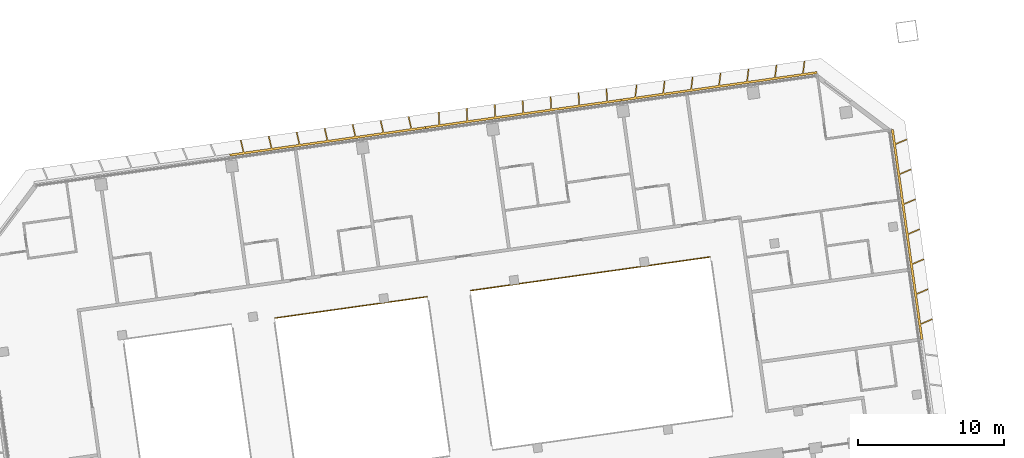
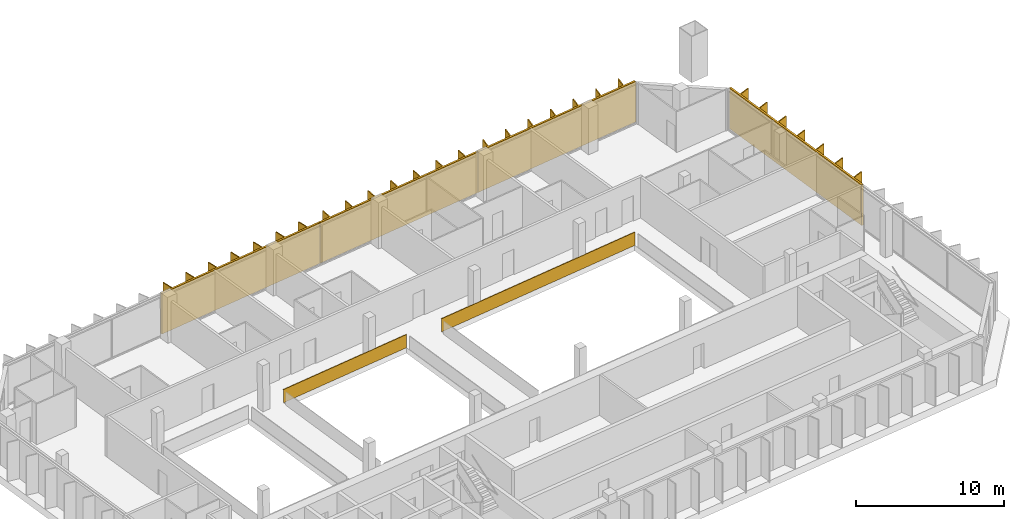
# One storey, part 26 of 26: 4 shading devices, 2 railings.
"""IFC4 building model written with IfcOpenShell, lengths in metres."""

from ifc_helpers import new_model, si_unit, direction, frame, origin, origin_2d, place, context, subcontext, project, spatial, polyline, rectangle, outline, extrude, material, type_object, element, save


model = new_model("IFC4")

# Units and contexts
model_context = context("Model", 3, precision=1e-05, world=origin(), true_north=direction((0.0, 1.0)))
body_context = subcontext(model_context, "Body", "Model", "MODEL_VIEW")
ifc_project = project(units=[si_unit("LENGTHUNIT", "METRE"), si_unit("AREAUNIT", "SQUARE_METRE"), si_unit("VOLUMEUNIT", "CUBIC_METRE"), si_unit("PLANEANGLEUNIT", "RADIAN"), si_unit("MASSUNIT", "GRAM", prefix="KILO")], contexts=[model_context])

# Site, building, storey
site_placement = place(None, origin())
site = spatial("IfcSite", under=ifc_project, at=site_placement, CompositionType="ELEMENT")
building_placement = place(site_placement, origin())
building = spatial("IfcBuilding", under=site, at=building_placement, Name="Mirante Cascada Hotel Towers", CompositionType="ELEMENT")
storey_placement = place(building_placement, frame((0.0, 0.0, 161.2)))
storey = spatial("IfcBuildingStorey", under=building, at=storey_placement, Name="L37", CompositionType="ELEMENT", Elevation=161.2)

# Railings
ifc_material_1 = material(Name="Toughened glass with stainless steel handrail", Category="steel")
railing_type = type_object("IfcRailingType", Name="Atrium guard 1100 glass balustrade", PredefinedType="GUARDRAIL", material=ifc_material_1)
railing_1_placement = place(storey_placement, frame((58.5997, 9.6941, 0.0)))
element("IfcRailing", 1, at=railing_1_placement, inside=storey, type_object=railing_type, Name="GUARD 2-L37-4", PredefinedType="GUARDRAIL", context=body_context, shape_type="SweptSolid", body=[
    extrude(rectangle(XDim=0.048, YDim=0.048, at=origin_2d()), frame((0.0, 0.0, 1.076), z_axis=(-0.9902677, -0.1391758, 0.0), x_axis=(0.1391758, -0.9902677, 0.0)), (0.0, 0.0, 1.0), 10.5255),
    extrude(rectangle(XDim=0.02, YDim=1.052, at=origin_2d()), frame((0.0, 0.0, 0.526), z_axis=(-0.9902677, -0.1391758, 0.0), x_axis=(0.1391758, -0.9902677, 0.0)), (0.0, 0.0, 1.0), 10.5255),
])
railing_2_placement = place(storey_placement, frame((77.9437, 12.4127, 0.0)))
element("IfcRailing", 2, at=railing_2_placement, inside=storey, type_object=railing_type, Name="GUARD 2-L37-6", PredefinedType="GUARDRAIL", context=body_context, shape_type="SweptSolid", body=[
    extrude(rectangle(XDim=0.048, YDim=0.048, at=origin_2d()), frame((0.0, 0.0, 1.076), z_axis=(0.9900663, 0.1406011, 0.0), x_axis=(-0.1406011, 0.9900663, 0.0)), (0.0, 0.0, 1.0), 0.0171),
    extrude(rectangle(XDim=0.02, YDim=1.052, at=origin_2d()), frame((0.0, 0.0, 0.526), z_axis=(0.9900663, 0.1406011, 0.0), x_axis=(-0.1406011, 0.9900663, 0.0)), (0.0, 0.0, 1.0), 0.0171),
    extrude(rectangle(XDim=0.048, YDim=0.048, at=origin_2d()), frame((0.0169, 0.0024, 1.076), z_axis=(-0.9902679, -0.1391744, 0.0), x_axis=(0.1391744, -0.9902679, 0.0)), (0.0, 0.0, 1.0), 16.5512),
    extrude(rectangle(XDim=0.02, YDim=1.052, at=origin_2d()), frame((0.0169, 0.0024, 0.526), z_axis=(-0.9902679, -0.1391744, 0.0), x_axis=(0.1391744, -0.9902679, 0.0)), (0.0, 0.0, 1.0), 16.5512),
])

# Shading devices
ifc_material_2 = material(Name="White precast concrete C50/60 fin", Category="concrete")
shading_device_type = type_object("IfcShadingDeviceType", Name="Vertical fin set 4500x900", PredefinedType="USERDEFINED", material=ifc_material_2)
shading_device_1_placement = place(storey_placement, origin())
element("IfcShadingDevice", 3, at=shading_device_1_placement, inside=storey, type_object=shading_device_type, Name="FIN T2 L37 front 1", ObjectType="FIN", PredefinedType="USERDEFINED", context=body_context, shape_type="SweptSolid", body=[
    extrude(outline(polyline([(72.9846, 24.1962), (72.8826, 23.365), (74.714, 23.6223), (74.8187, 24.4749), (74.8981, 24.4651), (74.796, 23.6339), (76.6274, 23.8913), (76.7321, 24.7438), (76.8115, 24.7341), (76.7094, 23.9028), (78.5408, 24.1602), (78.6455, 25.0127), (78.7249, 25.003), (78.6228, 24.1717), (80.4542, 24.4291), (80.5589, 25.2816), (80.6383, 25.2719), (80.5362, 24.4406), (82.3677, 24.698), (82.4723, 25.5505), (82.5517, 25.5408), (82.4497, 24.7095), (84.2811, 24.9669), (84.3857, 25.8195), (84.4652, 25.8097), (84.3631, 24.9784), (85.2655, 25.1053), (85.2864, 24.9567), (71.8925, 23.0743), (71.8716, 23.2229), (72.8006, 23.3534), (72.9052, 24.206), (72.9846, 24.1962)])), origin(), (0.0, 0.0, 1.0), 3.35),
])
shading_device_2_placement = place(storey_placement, origin())
element("IfcShadingDevice", 4, at=shading_device_2_placement, inside=storey, type_object=shading_device_type, Name="FIN T2 L37 front 2", ObjectType="FIN", PredefinedType="USERDEFINED", context=body_context, shape_type="SweptSolid", body=[
    extrude(outline(polyline([(59.4342, 22.3263), (59.4785, 21.4811), (61.3124, 21.7389), (61.2677, 22.591), (61.3476, 22.5952), (61.3919, 21.75), (63.2258, 22.0078), (63.1811, 22.8599), (63.261, 22.8641), (63.3053, 22.019), (65.1392, 22.2767), (65.0945, 23.1288), (65.1744, 23.133), (65.2187, 22.2879), (67.0526, 22.5456), (67.008, 23.3977), (67.0879, 23.4019), (67.1321, 22.5568), (68.966, 22.8145), (68.9214, 23.6667), (69.0013, 23.6708), (69.0456, 22.8257), (70.8795, 23.0834), (70.8348, 23.9356), (70.9147, 23.9398), (70.959, 23.0946), (71.8716, 23.2229), (71.8925, 23.0743), (58.4985, 21.1919), (58.4777, 21.3405), (59.399, 21.47), (59.3543, 22.3221), (59.4342, 22.3263)])), origin(), (0.0, 0.0, 1.0), 3.35),
])
shading_device_3_placement = place(storey_placement, origin())
element("IfcShadingDevice", 5, at=shading_device_3_placement, inside=storey, type_object=shading_device_type, Name="FIN T2 L37 front 3", ObjectType="FIN", PredefinedType="USERDEFINED", context=body_context, shape_type="SweptSolid", body=[
    extrude(outline(polyline([(45.8839, 20.429), (46.0759, 19.5975), (47.9098, 19.8553), (47.7194, 20.6799), (47.7974, 20.6979), (47.9893, 19.8664), (49.8232, 20.1242), (49.6328, 20.9488), (49.7108, 20.9668), (49.9027, 20.1353), (51.7366, 20.3931), (51.5462, 21.2177), (51.6242, 21.2357), (51.8161, 20.4043), (53.65, 20.662), (53.4597, 21.4866), (53.5376, 21.5046), (53.7296, 20.6732), (55.5635, 20.9309), (55.3731, 21.7555), (55.451, 21.7735), (55.643, 20.9421), (57.4769, 21.1998), (57.2865, 22.0244), (57.3644, 22.0424), (57.5564, 21.211), (58.4777, 21.3405), (58.4985, 21.1919), (45.1046, 19.3095), (45.0838, 19.4581), (45.9964, 19.5863), (45.806, 20.411), (45.8839, 20.429)])), origin(), (0.0, 0.0, 1.0), 3.35),
])
shading_device_4_placement = place(storey_placement, origin())
element("IfcShadingDevice", 6, at=shading_device_4_placement, inside=storey, type_object=shading_device_type, Name="FIN T2 L37 outer 2", ObjectType="FIN", PredefinedType="USERDEFINED", context=body_context, shape_type="SweptSolid", body=[
    extrude(outline(polyline([(93.1859, 8.1223), (92.3952, 7.7867), (92.5354, 6.7888), (92.3869, 6.7679), (90.3689, 21.1268), (90.5174, 21.1477), (90.6539, 20.1763), (91.4249, 20.5036), (91.4561, 20.4299), (90.6655, 20.0943), (90.9422, 18.125), (91.7132, 18.4523), (91.7444, 18.3786), (90.9537, 18.043), (91.2305, 16.0738), (92.0014, 16.401), (92.0327, 16.3274), (91.242, 15.9918), (91.5188, 14.0225), (92.2897, 14.3497), (92.321, 14.2761), (91.5303, 13.9405), (91.8071, 11.9712), (92.578, 12.2985), (92.6093, 12.2248), (91.8186, 11.8892), (92.0954, 9.92), (92.8663, 10.2472), (92.8976, 10.1736), (92.1069, 9.8379), (92.3837, 7.8687), (93.1546, 8.1959), (93.1859, 8.1223)])), origin(), (0.0, 0.0, 1.0), 3.35),
])

save(model, "model.ifc")
